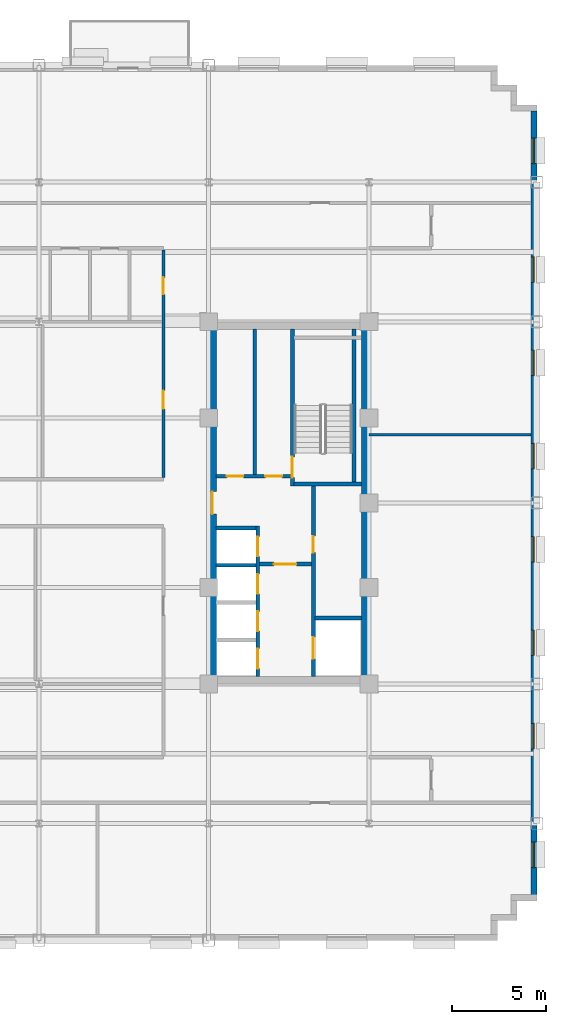
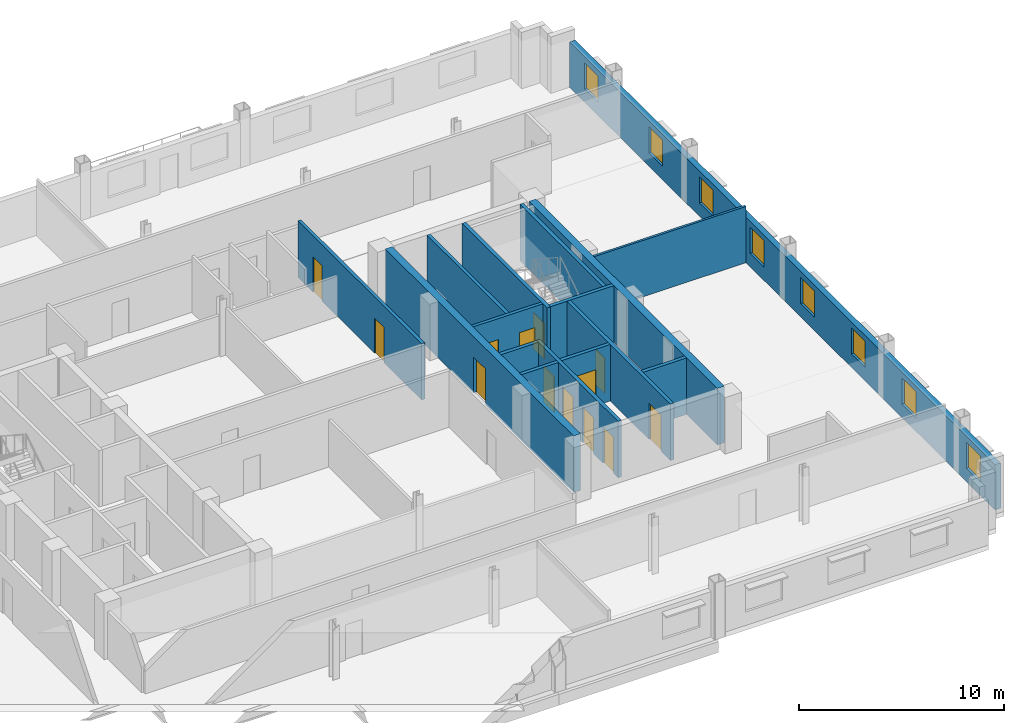
# One storey, part 8 of 14: 16 walls, 13 doors, 8 windows, 21 openings.
"""IFC4 building model written with IfcOpenShell, lengths in metres."""

from ifc_helpers import new_model, si_unit, direction, frame, frame_2d, origin, place, context, subcontext, project, spatial, rectangle, extrude, source, transform, mapped, material, layer, layer_set, type_object, type_shapes, element, fill, save


model = new_model("IFC4")

# Units and contexts
model_context = context("Model", 3, precision=1e-05, world=origin(), true_north=direction((0.0, 1.0)))
body_context = subcontext(model_context, "Body", "Model", "MODEL_VIEW")
ifc_project = project(units=[si_unit("LENGTHUNIT", "METRE"), si_unit("AREAUNIT", "SQUARE_METRE"), si_unit("VOLUMEUNIT", "CUBIC_METRE"), si_unit("PLANEANGLEUNIT", "RADIAN"), si_unit("MASSUNIT", "GRAM", prefix="KILO")], contexts=[model_context])

# Site, building, storey
site_placement = place(None, origin())
site = spatial("IfcSite", under=ifc_project, at=site_placement, CompositionType="ELEMENT")
building_placement = place(site_placement, origin())
building = spatial("IfcBuilding", under=site, at=building_placement, Name="Nuvemarco Arch Tower", CompositionType="ELEMENT")
storey_placement = place(building_placement, frame((0.0, 0.0, 138.449951171875)))
storey = spatial("IfcBuildingStorey", under=building, at=storey_placement, Name="L36", CompositionType="ELEMENT", Elevation=138.449951171875)

# Wall, openings, windows
ifc_material_1 = material(Name="Precast concrete C45/55", Category="concrete")
ifc_layer_1 = layer(ifc_material_1, 0.320068359375, Name="EW-MID-320")
ifc_layer_set_1 = layer_set([ifc_layer_1], Name="Precast concrete C45/55")
wall_type_1 = type_object("IfcWallType", Name="EW-MID-320", PredefinedType="STANDARD", material=ifc_layer_set_1)
wall_1_placement = place(storey_placement, frame((26.239990234375, -20.783935546875, 0.0), z_axis=(0.0, 0.0, 1.0), x_axis=(0.0, 1.0, 0.0)))
wall_1 = element("IfcWall", 1, at=wall_1_placement, inside=storey, type_object=wall_type_1, Name="L36 exterior precast facade wall 6", PredefinedType="STANDARD", context=body_context, shape_type="SweptSolid", body=[
    extrude(rectangle(XDim=41.56787109375, YDim=0.320068359375, at=frame_2d((20.783935546875, 0.0))), origin(), (0.0, 0.0, 1.0), 2.705078125),
])
opening_1_placement = place(wall_1_placement, frame((1.447998046875, 0.0, 0.800048828125)))
opening_1 = element("IfcOpeningElement", 2, at=opening_1_placement, cuts=wall_1, Name="Opening WN-6", PredefinedType="OPENING", context=body_context, shape_type="SweptSolid", body=[
    extrude(rectangle(XDim=1.35009765625, YDim=1.56005859375, at=frame_2d((0.675048828125, 0.780029296875))), frame((0.0, 0.169921875, 0.0), z_axis=(0.0, -1.0, 0.0), x_axis=(1.0, 0.0, 0.0)), (0.0, 0.0, 1.0), 0.340087890625),
])
opening_2_placement = place(wall_1_placement, frame((7.743896484375, 0.0, 0.800048828125)))
opening_2 = element("IfcOpeningElement", 3, at=opening_2_placement, cuts=wall_1, Name="Opening WN-6", PredefinedType="OPENING", context=body_context, shape_type="SweptSolid", body=[
    extrude(rectangle(XDim=1.35009765625, YDim=1.56005859375, at=frame_2d((0.675048828125, 0.780029296875))), frame((0.0, 0.169921875, 0.0), z_axis=(0.0, -1.0, 0.0), x_axis=(1.0, 0.0, 0.0)), (0.0, 0.0, 1.0), 0.340087890625),
])
opening_3_placement = place(wall_1_placement, frame((12.68994140625, 0.0, 0.800048828125)))
opening_3 = element("IfcOpeningElement", 4, at=opening_3_placement, cuts=wall_1, Name="Opening WN-6", PredefinedType="OPENING", context=body_context, shape_type="SweptSolid", body=[
    extrude(rectangle(XDim=1.35009765625, YDim=1.56005859375, at=frame_2d((0.675048828125, 0.780029296875))), frame((0.0, 0.169921875, 0.0), z_axis=(0.0, -1.0, 0.0), x_axis=(1.0, 0.0, 0.0)), (0.0, 0.0, 1.0), 0.340087890625),
])
opening_4_placement = place(wall_1_placement, frame((17.635986328125, 0.0, 0.800048828125)))
opening_4 = element("IfcOpeningElement", 5, at=opening_4_placement, cuts=wall_1, Name="Opening WN-6", PredefinedType="OPENING", context=body_context, shape_type="SweptSolid", body=[
    extrude(rectangle(XDim=1.35009765625, YDim=1.56005859375, at=frame_2d((0.675048828125, 0.780029296875))), frame((0.0, 0.169921875, 0.0), z_axis=(0.0, -1.0, 0.0), x_axis=(1.0, 0.0, 0.0)), (0.0, 0.0, 1.0), 0.340087890625),
])
opening_5_placement = place(wall_1_placement, frame((22.58203125, 0.0, 0.800048828125)))
opening_5 = element("IfcOpeningElement", 6, at=opening_5_placement, cuts=wall_1, Name="Opening WN-6", PredefinedType="OPENING", context=body_context, shape_type="SweptSolid", body=[
    extrude(rectangle(XDim=1.35009765625, YDim=1.56005859375, at=frame_2d((0.675048828125, 0.780029296875))), frame((0.0, 0.169921875, 0.0), z_axis=(0.0, -1.0, 0.0), x_axis=(1.0, 0.0, 0.0)), (0.0, 0.0, 1.0), 0.340087890625),
])
opening_6_placement = place(wall_1_placement, frame((27.528076171875, 0.0, 0.800048828125)))
opening_6 = element("IfcOpeningElement", 7, at=opening_6_placement, cuts=wall_1, Name="Opening WN-6", PredefinedType="OPENING", context=body_context, shape_type="SweptSolid", body=[
    extrude(rectangle(XDim=1.35009765625, YDim=1.56005859375, at=frame_2d((0.675048828125, 0.780029296875))), frame((0.0, 0.169921875, 0.0), z_axis=(0.0, -1.0, 0.0), x_axis=(1.0, 0.0, 0.0)), (0.0, 0.0, 1.0), 0.340087890625),
])
opening_7_placement = place(wall_1_placement, frame((32.47412109375, 0.0, 0.800048828125)))
opening_7 = element("IfcOpeningElement", 8, at=opening_7_placement, cuts=wall_1, Name="Opening WN-6", PredefinedType="OPENING", context=body_context, shape_type="SweptSolid", body=[
    extrude(rectangle(XDim=1.35009765625, YDim=1.56005859375, at=frame_2d((0.675048828125, 0.780029296875))), frame((0.0, 0.169921875, 0.0), z_axis=(0.0, -1.0, 0.0), x_axis=(1.0, 0.0, 0.0)), (0.0, 0.0, 1.0), 0.340087890625),
])
opening_8_placement = place(wall_1_placement, frame((38.77001953125, 0.0, 0.800048828125)))
opening_8 = element("IfcOpeningElement", 9, at=opening_8_placement, cuts=wall_1, Name="Opening WN-6", PredefinedType="OPENING", context=body_context, shape_type="SweptSolid", body=[
    extrude(rectangle(XDim=1.35009765625, YDim=1.56005859375, at=frame_2d((0.675048828125, 0.780029296875))), frame((0.0, 0.169921875, 0.0), z_axis=(0.0, -1.0, 0.0), x_axis=(1.0, 0.0, 0.0)), (0.0, 0.0, 1.0), 0.340087890625),
])
ifc_material_2 = material(Name="Insulated solar-control glass", Category="glass")
window_type = type_object("IfcWindowType", Name="WN-MID-1350x1560", PartitioningType="SINGLE_PANEL", PredefinedType="WINDOW", material=ifc_material_2)
shared_shape_1 = source(origin(), body_context, "Body", "SweptSolid", [
    extrude(rectangle(XDim=1.35009765625, YDim=1.56005859375, at=frame_2d((0.675048828125, 0.780029296875))), frame((0.0, 0.030029296875, 0.0), z_axis=(0.0, -1.0, 0.0), x_axis=(1.0, 0.0, 0.0)), (0.0, 0.0, 1.0), 0.06005859375),
])
type_shapes(window_type, [shared_shape_1])
window_1_placement = place(opening_1_placement, origin())
window_1 = element("IfcWindow", 10, at=window_1_placement, inside=storey, type_object=window_type, Name="L36 punched facade window 1", OverallHeight=1.56005859375, OverallWidth=1.35009765625, PartitioningType="SINGLE_PANEL", PredefinedType="WINDOW", context=body_context, shape_type="MappedRepresentation", body=[
    mapped(shared_shape_1, transform((0.0, 0.0, 0.0), scale=1.0)),
])
fill(opening_1, window_1)
window_2_placement = place(opening_2_placement, origin())
window_2 = element("IfcWindow", 11, at=window_2_placement, inside=storey, type_object=window_type, Name="L36 punched facade window 2", OverallHeight=1.56005859375, OverallWidth=1.35009765625, PartitioningType="SINGLE_PANEL", PredefinedType="WINDOW", context=body_context, shape_type="MappedRepresentation", body=[
    mapped(shared_shape_1, transform((0.0, 0.0, 0.0), scale=1.0)),
])
fill(opening_2, window_2)
window_3_placement = place(opening_3_placement, origin())
window_3 = element("IfcWindow", 12, at=window_3_placement, inside=storey, type_object=window_type, Name="L36 punched facade window 3", OverallHeight=1.56005859375, OverallWidth=1.35009765625, PartitioningType="SINGLE_PANEL", PredefinedType="WINDOW", context=body_context, shape_type="MappedRepresentation", body=[
    mapped(shared_shape_1, transform((0.0, 0.0, 0.0), scale=1.0)),
])
fill(opening_3, window_3)
window_4_placement = place(opening_4_placement, origin())
window_4 = element("IfcWindow", 13, at=window_4_placement, inside=storey, type_object=window_type, Name="L36 punched facade window 4", OverallHeight=1.56005859375, OverallWidth=1.35009765625, PartitioningType="SINGLE_PANEL", PredefinedType="WINDOW", context=body_context, shape_type="MappedRepresentation", body=[
    mapped(shared_shape_1, transform((0.0, 0.0, 0.0), scale=1.0)),
])
fill(opening_4, window_4)
window_5_placement = place(opening_5_placement, origin())
window_5 = element("IfcWindow", 14, at=window_5_placement, inside=storey, type_object=window_type, Name="L36 punched facade window 5", OverallHeight=1.56005859375, OverallWidth=1.35009765625, PartitioningType="SINGLE_PANEL", PredefinedType="WINDOW", context=body_context, shape_type="MappedRepresentation", body=[
    mapped(shared_shape_1, transform((0.0, 0.0, 0.0), scale=1.0)),
])
fill(opening_5, window_5)
window_6_placement = place(opening_6_placement, origin())
window_6 = element("IfcWindow", 15, at=window_6_placement, inside=storey, type_object=window_type, Name="L36 punched facade window 6", OverallHeight=1.56005859375, OverallWidth=1.35009765625, PartitioningType="SINGLE_PANEL", PredefinedType="WINDOW", context=body_context, shape_type="MappedRepresentation", body=[
    mapped(shared_shape_1, transform((0.0, 0.0, 0.0), scale=1.0)),
])
fill(opening_6, window_6)
window_7_placement = place(opening_7_placement, origin())
window_7 = element("IfcWindow", 16, at=window_7_placement, inside=storey, type_object=window_type, Name="L36 punched facade window 7", OverallHeight=1.56005859375, OverallWidth=1.35009765625, PartitioningType="SINGLE_PANEL", PredefinedType="WINDOW", context=body_context, shape_type="MappedRepresentation", body=[
    mapped(shared_shape_1, transform((0.0, 0.0, 0.0), scale=1.0)),
])
fill(opening_7, window_7)
window_8_placement = place(opening_8_placement, origin())
window_8 = element("IfcWindow", 17, at=window_8_placement, inside=storey, type_object=window_type, Name="L36 punched facade window 8", OverallHeight=1.56005859375, OverallWidth=1.35009765625, PartitioningType="SINGLE_PANEL", PredefinedType="WINDOW", context=body_context, shape_type="MappedRepresentation", body=[
    mapped(shared_shape_1, transform((0.0, 0.0, 0.0), scale=1.0)),
])
fill(opening_8, window_8)

# Wall, opening, door
ifc_material_3 = material(Name="Concrete C60/75", Category="concrete")
ifc_layer_2 = layer(ifc_material_3, 0.39990234375, Name="WL-CORE-400")
ifc_layer_set_2 = layer_set([ifc_layer_2], Name="Concrete C60/75")
wall_type_2 = type_object("IfcWallType", Name="WL-CORE-400", PredefinedType="SHEAR", material=ifc_layer_set_2)
wall_2_placement = place(storey_placement, frame((9.199951171875, -9.205078125, 0.0), z_axis=(0.0, 0.0, 1.0), x_axis=(0.0, 1.0, 0.0)))
wall_2 = element("IfcWall", 18, at=wall_2_placement, inside=storey, type_object=wall_type_2, Name="L36 E-core shear wall W", PredefinedType="SHEAR", context=body_context, shape_type="SweptSolid", body=[
    extrude(rectangle(XDim=18.41015625, YDim=0.39990234375, at=frame_2d((9.205078125, 0.0))), origin(), (0.0, 0.0, 1.0), 3.3701171875),
])
opening_9_placement = place(wall_2_placement, frame((8.60498046875, 0.0, 0.0)))
opening_9 = element("IfcOpeningElement", 19, at=opening_9_placement, cuts=wall_2, Name="Opening FD-2", PredefinedType="OPENING", context=body_context, shape_type="SweptSolid", body=[
    extrude(rectangle(XDim=1.199951171875, YDim=2.14990234375, at=frame_2d((0.60009765625, 1.074951171875))), frame((0.0, 0.2099609375, 0.0), z_axis=(0.0, -1.0, 0.0), x_axis=(1.0, 0.0, 0.0)), (0.0, 0.0, 1.0), 0.419921875),
])
ifc_material_4 = material(Name="Anodised steel fire door", Category="steel")
door_type_1 = type_object("IfcDoorType", Name="DR-FFLOB-FD", OperationType="NOTDEFINED", PredefinedType="DOOR", material=ifc_material_4)
shared_shape_2 = source(origin(), body_context, "Body", "SweptSolid", [
    extrude(rectangle(XDim=1.199951171875, YDim=2.14990234375, at=frame_2d((0.60009765625, 1.074951171875))), frame((0.0, 0.02490234375, 0.0), z_axis=(0.0, -1.0, 0.0), x_axis=(1.0, 0.0, 0.0)), (0.0, 0.0, 1.0), 0.050048828125),
])
type_shapes(door_type_1, [shared_shape_2])
door_1_placement = place(opening_9_placement, origin())
door_1 = element("IfcDoor", 20, at=door_1_placement, inside=storey, type_object=door_type_1, Name="L36 door FD-L36-ECORE-W", OperationType="SINGLE_SWING_RIGHT", OverallHeight=2.14990234375, OverallWidth=1.199951171875, PredefinedType="DOOR", context=body_context, shape_type="MappedRepresentation", body=[
    mapped(shared_shape_2, transform((0.0, 0.0, 0.0), scale=1.0)),
])
fill(opening_9, door_1)

# Wall
wall_3_placement = place(storey_placement, frame((17.300048828125, -9.205078125, 0.0), z_axis=(0.0, 0.0, 1.0), x_axis=(0.0, 1.0, 0.0)))
element("IfcWall", 21, at=wall_3_placement, inside=storey, type_object=wall_type_2, Name="L36 E-core shear wall E", PredefinedType="SHEAR", context=body_context, shape_type="SweptSolid", body=[
    extrude(rectangle(XDim=18.41015625, YDim=0.39990234375, at=frame_2d((9.205078125, 0.0))), origin(), (0.0, 0.0, 1.0), 3.3701171875),
])

# Wall, openings, doors
ifc_material_5 = material(Name="Fire-rated gypsum drywall partition")
ifc_layer_3 = layer(ifc_material_5, 0.179931640625, Name="WL-CORR-180")
ifc_layer_set_3 = layer_set([ifc_layer_3], Name="Fire-rated gypsum drywall partition")
wall_type_3 = type_object("IfcWallType", Name="WL-CORR-180", PredefinedType="PARTITIONING", material=ifc_layer_set_3)
wall_4_placement = place(storey_placement, frame((9.39501953125, 1.39990234375, 0.0), z_axis=(0.0, 0.0, 1.0), x_axis=(1.0, 0.0, 0.0)))
wall_4 = element("IfcWall", 22, at=wall_4_placement, inside=storey, type_object=wall_type_3, Name="L36 interior wall IW-L36-EK-S", PredefinedType="PARTITIONING", context=body_context, shape_type="SweptSolid", body=[
    extrude(rectangle(XDim=3.949951171875, YDim=0.179931640625, at=frame_2d((1.97509765625, 0.0))), origin(), (0.0, 0.0, 1.0), 3.360107421875),
])
opening_10_placement = place(wall_4_placement, frame((0.56494140625, 0.0, 0.0)))
opening_10 = element("IfcOpeningElement", 23, at=opening_10_placement, cuts=wall_4, Name="Opening FD-4", PredefinedType="OPENING", context=body_context, shape_type="SweptSolid", body=[
    extrude(rectangle(XDim=0.8798828125, YDim=2.10009765625, at=frame_2d((0.43994140625, 1.050048828125))), frame((0.0, 0.099853515625, 0.0), z_axis=(0.0, -1.0, 0.0), x_axis=(1.0, 0.0, 0.0)), (0.0, 0.0, 1.0), 0.199951171875),
])
opening_11_placement = place(wall_4_placement, frame((2.614990234375, 0.0, 0.0)))
opening_11 = element("IfcOpeningElement", 24, at=opening_11_placement, cuts=wall_4, Name="Opening FD-4", PredefinedType="OPENING", context=body_context, shape_type="SweptSolid", body=[
    extrude(rectangle(XDim=0.8798828125, YDim=2.10009765625, at=frame_2d((0.43994140625, 1.050048828125))), frame((0.0, 0.099853515625, 0.0), z_axis=(0.0, -1.0, 0.0), x_axis=(1.0, 0.0, 0.0)), (0.0, 0.0, 1.0), 0.199951171875),
])
door_type_2 = type_object("IfcDoorType", Name="DR-RISER-FD", OperationType="NOTDEFINED", PredefinedType="DOOR", material=ifc_material_4)
shared_shape_3 = source(origin(), body_context, "Body", "SweptSolid", [
    extrude(rectangle(XDim=0.8798828125, YDim=2.10009765625, at=frame_2d((0.43994140625, 1.050048828125))), frame((0.0, 0.02490234375, 0.0), z_axis=(0.0, -1.0, 0.0), x_axis=(1.0, 0.0, 0.0)), (0.0, 0.0, 1.0), 0.050048828125),
])
type_shapes(door_type_2, [shared_shape_3])
door_2_placement = place(opening_10_placement, origin())
door_2 = element("IfcDoor", 25, at=door_2_placement, inside=storey, type_object=door_type_2, Name="L36 door FD-L36-EK2A", OperationType="SINGLE_SWING_LEFT", OverallHeight=2.10009765625, OverallWidth=0.8798828125, PredefinedType="DOOR", context=body_context, shape_type="MappedRepresentation", body=[
    mapped(shared_shape_3, transform((0.0, 0.0, 0.0), scale=1.0)),
])
fill(opening_10, door_2)
door_3_placement = place(opening_11_placement, origin())
door_3 = element("IfcDoor", 26, at=door_3_placement, inside=storey, type_object=door_type_2, Name="L36 door FD-L36-EK2B", OperationType="SINGLE_SWING_RIGHT", OverallHeight=2.10009765625, OverallWidth=0.8798828125, PredefinedType="DOOR", context=body_context, shape_type="MappedRepresentation", body=[
    mapped(shared_shape_3, transform((0.0, 0.0, 0.0), scale=1.0)),
])
fill(opening_11, door_3)

# Wall
wall_5_placement = place(storey_placement, frame((11.449951171875, 1.489990234375, 0.0), z_axis=(0.0, 0.0, 1.0), x_axis=(0.0, 1.0, 0.0)))
element("IfcWall", 27, at=wall_5_placement, inside=storey, type_object=wall_type_3, Name="L36 interior wall IW-L36-EK2", PredefinedType="PARTITIONING", context=body_context, shape_type="SweptSolid", body=[
    extrude(rectangle(XDim=7.715087890625, YDim=0.179931640625, at=frame_2d((3.857421875, 0.0))), origin(), (0.0, 0.0, 1.0), 3.360107421875),
])

# Wall, openings, doors
wall_6_placement = place(storey_placement, frame((6.60009765625, 1.3359375, 0.0), z_axis=(0.0, 0.0, 1.0), x_axis=(0.0, 1.0, 0.0)))
wall_6 = element("IfcWall", 28, at=wall_6_placement, inside=storey, type_object=wall_type_3, Name="L36 interior wall IW-L36-028", PredefinedType="PARTITIONING", context=body_context, shape_type="SweptSolid", body=[
    extrude(rectangle(XDim=12.078125, YDim=0.179931640625, at=frame_2d((6.0390625, 0.0))), origin(), (0.0, 0.0, 1.0), 3.360107421875),
])
opening_12_placement = place(wall_6_placement, frame((3.652099609375, 0.0, 0.0)))
opening_12 = element("IfcOpeningElement", 29, at=opening_12_placement, cuts=wall_6, Name="Opening FD-5", PredefinedType="OPENING", context=body_context, shape_type="SweptSolid", body=[
    extrude(rectangle(XDim=0.9599609375, YDim=2.10009765625, at=frame_2d((0.47998046875, 1.050048828125))), frame((0.0, 0.099853515625, 0.0), z_axis=(0.0, -1.0, 0.0), x_axis=(1.0, 0.0, 0.0)), (0.0, 0.0, 1.0), 0.199951171875),
])
opening_13_placement = place(wall_6_placement, frame((9.720947265625, 0.0, 0.0)))
opening_13 = element("IfcOpeningElement", 30, at=opening_13_placement, cuts=wall_6, Name="Opening ID-3", PredefinedType="OPENING", context=body_context, shape_type="SweptSolid", body=[
    extrude(rectangle(XDim=0.89990234375, YDim=2.10009765625, at=frame_2d((0.449951171875, 1.050048828125))), frame((0.0, 0.099853515625, 0.0), z_axis=(0.0, -1.0, 0.0), x_axis=(1.0, 0.0, 0.0)), (0.0, 0.0, 1.0), 0.199951171875),
])
ifc_material_6 = material(Name="Timber fire door", Category="wood")
door_type_3 = type_object("IfcDoorType", Name="DR-CORR-FD", OperationType="NOTDEFINED", PredefinedType="DOOR", material=ifc_material_6)
shared_shape_4 = source(origin(), body_context, "Body", "SweptSolid", [
    extrude(rectangle(XDim=0.9599609375, YDim=2.10009765625, at=frame_2d((0.47998046875, 1.050048828125))), frame((0.0, 0.02490234375, 0.0), z_axis=(0.0, -1.0, 0.0), x_axis=(1.0, 0.0, 0.0)), (0.0, 0.0, 1.0), 0.050048828125),
])
type_shapes(door_type_3, [shared_shape_4])
door_4_placement = place(opening_12_placement, origin())
door_4 = element("IfcDoor", 31, at=door_4_placement, inside=storey, type_object=door_type_3, Name="L36 door DR-L36-C_NE", OperationType="SINGLE_SWING_LEFT", OverallHeight=2.10009765625, OverallWidth=0.9599609375, PredefinedType="DOOR", context=body_context, shape_type="MappedRepresentation", body=[
    mapped(shared_shape_4, transform((0.0, 0.0, 0.0), scale=1.0)),
])
fill(opening_12, door_4)
ifc_material_7 = material(Name="Veneered oak timber fire door", Category="wood")
door_type_4 = type_object("IfcDoorType", Name="DR-WC-ACC", OperationType="NOTDEFINED", PredefinedType="DOOR", material=ifc_material_7)
shared_shape_5 = source(origin(), body_context, "Body", "SweptSolid", [
    extrude(rectangle(XDim=0.89990234375, YDim=2.10009765625, at=frame_2d((0.449951171875, 1.050048828125))), frame((0.0, 0.02490234375, 0.0), z_axis=(0.0, -1.0, 0.0), x_axis=(1.0, 0.0, 0.0)), (0.0, 0.0, 1.0), 0.050048828125),
])
type_shapes(door_type_4, [shared_shape_5])
door_5_placement = place(opening_13_placement, origin())
door_5 = element("IfcDoor", 32, at=door_5_placement, inside=storey, type_object=door_type_4, Name="L36 door DR-L36-WC_ACC", OperationType="SINGLE_SWING_RIGHT", OverallHeight=2.10009765625, OverallWidth=0.89990234375, PredefinedType="DOOR", context=body_context, shape_type="MappedRepresentation", body=[
    mapped(shared_shape_5, transform((0.0, 0.0, 0.0), scale=1.0)),
])
fill(opening_13, door_5)

# Wall
ifc_material_8 = material(Name="Glazed acoustic office partition")
ifc_layer_4 = layer(ifc_material_8, 0.1298828125, Name="WL-EXEC-130")
ifc_layer_set_4 = layer_set([ifc_layer_4], Name="Glazed acoustic office partition")
wall_type_4 = type_object("IfcWallType", Name="WL-EXEC-130", PredefinedType="PARTITIONING", material=ifc_layer_set_4)
wall_7_placement = place(storey_placement, frame((17.5, 3.60009765625, 0.0), z_axis=(0.0, 0.0, 1.0), x_axis=(1.0, 0.0, 0.0)))
element("IfcWall", 33, at=wall_7_placement, inside=storey, type_object=wall_type_4, Name="L36 interior wall IW-L36-008", PredefinedType="PARTITIONING", context=body_context, shape_type="SweptSolid", body=[
    extrude(rectangle(XDim=8.580078125, YDim=0.1298828125, at=frame_2d((4.2900390625, 0.0))), origin(), (0.0, 0.0, 1.0), 3.360107421875),
])

# Wall, opening, door
ifc_material_9 = material(Name="Concrete C50/60", Category="concrete")
ifc_layer_5 = layer(ifc_material_9, 0.199951171875, Name="WL-SHAFT-220")
ifc_layer_set_5 = layer_set([ifc_layer_5], Name="Concrete C50/60")
wall_type_5 = type_object("IfcWallType", Name="WL-SHAFT-220", PredefinedType="SHEAR", material=ifc_layer_set_5)
wall_8_placement = place(storey_placement, frame((13.43994140625, 0.89990234375, 0.0), z_axis=(0.0, 0.0, 1.0), x_axis=(0.0, 1.0, 0.0)))
wall_8 = element("IfcWall", 34, at=wall_8_placement, inside=storey, type_object=wall_type_5, Name="L36 structural shaft wall SW-L36-E-ST2W", PredefinedType="SHEAR", context=body_context, shape_type="SweptSolid", body=[
    extrude(rectangle(XDim=8.30517578125, YDim=0.199951171875, at=frame_2d((4.152587890625, 0.0))), origin(), (0.0, 0.0, 1.0), 3.3701171875),
])
opening_14_placement = place(wall_8_placement, frame((0.429931640625, 0.0, 0.0)))
opening_14 = element("IfcOpeningElement", 35, at=opening_14_placement, cuts=wall_8, Name="Opening FD-1", PredefinedType="OPENING", context=body_context, shape_type="SweptSolid", body=[
    extrude(rectangle(XDim=1.10009765625, YDim=2.14990234375, at=frame_2d((0.550048828125, 1.074951171875))), frame((0.0, 0.10986328125, 0.0), z_axis=(0.0, -1.0, 0.0), x_axis=(1.0, 0.0, 0.0)), (0.0, 0.0, 1.0), 0.219970703125),
])
door_type_5 = type_object("IfcDoorType", Name="DR-STAIR-FD", OperationType="NOTDEFINED", PredefinedType="DOOR", material=ifc_material_4)
shared_shape_6 = source(origin(), body_context, "Body", "SweptSolid", [
    extrude(rectangle(XDim=1.10009765625, YDim=2.14990234375, at=frame_2d((0.550048828125, 1.074951171875))), frame((0.0, 0.02490234375, 0.0), z_axis=(0.0, -1.0, 0.0), x_axis=(1.0, 0.0, 0.0)), (0.0, 0.0, 1.0), 0.050048828125),
])
type_shapes(door_type_5, [shared_shape_6])
door_6_placement = place(opening_14_placement, origin())
door_6 = element("IfcDoor", 36, at=door_6_placement, inside=storey, type_object=door_type_5, Name="L36 door FD-L36-ST2", OperationType="SINGLE_SWING_LEFT", OverallHeight=2.14990234375, OverallWidth=1.10009765625, PredefinedType="DOOR", context=body_context, shape_type="MappedRepresentation", body=[
    mapped(shared_shape_6, transform((0.0, 0.0, 0.0), scale=1.0)),
])
fill(opening_14, door_6)

# Walls
wall_9_placement = place(storey_placement, frame((13.534912109375, 1.0, 0.0), z_axis=(0.0, 0.0, 1.0), x_axis=(1.0, 0.0, 0.0)))
element("IfcWall", 37, at=wall_9_placement, inside=storey, type_object=wall_type_5, Name="L36 structural shaft wall SW-L36-E-ST2S", PredefinedType="SHEAR", context=body_context, shape_type="SweptSolid", body=[
    extrude(rectangle(XDim=3.570068359375, YDim=0.199951171875, at=frame_2d((1.78515625, 0.0))), origin(), (0.0, 0.0, 1.0), 3.3701171875),
])
wall_10_placement = place(storey_placement, frame((16.699951171875, 1.094970703125, 0.0), z_axis=(0.0, 0.0, 1.0), x_axis=(0.0, 1.0, 0.0)))
element("IfcWall", 38, at=wall_10_placement, inside=storey, type_object=wall_type_5, Name="L36 structural shaft wall SW-L36-E-ST2E", PredefinedType="SHEAR", context=body_context, shape_type="SweptSolid", body=[
    extrude(rectangle(XDim=8.110107421875, YDim=0.199951171875, at=frame_2d((4.05517578125, 0.0))), origin(), (0.0, 0.0, 1.0), 3.3701171875),
])

# Wall, openings, doors
wall_11_placement = place(storey_placement, frame((14.550048828125, -9.205078125, 0.0), z_axis=(0.0, 0.0, 1.0), x_axis=(0.0, 1.0, 0.0)))
wall_11 = element("IfcWall", 39, at=wall_11_placement, inside=storey, type_object=wall_type_5, Name="L36 structural shaft wall SW-L36-E-SHW", PredefinedType="SHEAR", context=body_context, shape_type="SweptSolid", body=[
    extrude(rectangle(XDim=10.110107421875, YDim=0.199951171875, at=frame_2d((5.05517578125, 0.0))), origin(), (0.0, 0.0, 1.0), 3.3701171875),
])
opening_15_placement = place(wall_11_placement, frame((6.56494140625, 0.0, 0.0)))
opening_15 = element("IfcOpeningElement", 40, at=opening_15_placement, cuts=wall_11, Name="Opening FD-4", PredefinedType="OPENING", context=body_context, shape_type="SweptSolid", body=[
    extrude(rectangle(XDim=0.8798828125, YDim=2.10009765625, at=frame_2d((0.43994140625, 1.050048828125))), frame((0.0, 0.10986328125, 0.0), z_axis=(0.0, -1.0, 0.0), x_axis=(1.0, 0.0, 0.0)), (0.0, 0.0, 1.0), 0.219970703125),
])
opening_16_placement = place(wall_11_placement, frame((0.929931640625, 0.0, 0.0)))
opening_16 = element("IfcOpeningElement", 41, at=opening_16_placement, cuts=wall_11, Name="Opening LD-2", PredefinedType="OPENING", context=body_context, shape_type="SweptSolid", body=[
    extrude(rectangle(XDim=1.14990234375, YDim=2.14990234375, at=frame_2d((0.574951171875, 1.074951171875))), frame((0.0, 0.10986328125, 0.0), z_axis=(0.0, -1.0, 0.0), x_axis=(1.0, 0.0, 0.0)), (0.0, 0.0, 1.0), 0.219970703125),
])
door_7_placement = place(opening_15_placement, origin())
door_7 = element("IfcDoor", 42, at=door_7_placement, inside=storey, type_object=door_type_2, Name="L36 door FD-L36-ERIS", OperationType="SINGLE_SWING_LEFT", OverallHeight=2.10009765625, OverallWidth=0.8798828125, PredefinedType="DOOR", context=body_context, shape_type="MappedRepresentation", body=[
    mapped(shared_shape_3, transform((0.0, 0.0, 0.0), scale=1.0)),
])
fill(opening_15, door_7)
ifc_material_10 = material(Name="Stainless steel lift door", Category="steel")
door_type_6 = type_object("IfcDoorType", Name="DR-LIFT-FIRE", OperationType="DOUBLE_DOOR_SLIDING", PredefinedType="DOOR", material=ifc_material_10)
shared_shape_7 = source(origin(), body_context, "Body", "SweptSolid", [
    extrude(rectangle(XDim=1.14990234375, YDim=2.14990234375, at=frame_2d((0.574951171875, 1.074951171875))), frame((0.0, 0.02490234375, 0.0), z_axis=(0.0, -1.0, 0.0), x_axis=(1.0, 0.0, 0.0)), (0.0, 0.0, 1.0), 0.050048828125),
])
type_shapes(door_type_6, [shared_shape_7])
door_8_placement = place(opening_16_placement, origin())
door_8 = element("IfcDoor", 43, at=door_8_placement, inside=storey, type_object=door_type_6, Name="L36 Lift landing sliding door FFL-2", OperationType="DOUBLE_DOOR_SLIDING", OverallHeight=2.14990234375, OverallWidth=1.14990234375, PredefinedType="DOOR", context=body_context, shape_type="MappedRepresentation", body=[
    mapped(shared_shape_7, transform((0.0, 0.0, 0.0), scale=1.0)),
])
fill(opening_16, door_8)

# Wall
wall_12_placement = place(storey_placement, frame((14.64501953125, -6.10009765625, 0.0), z_axis=(0.0, 0.0, 1.0), x_axis=(1.0, 0.0, 0.0)))
element("IfcWall", 44, at=wall_12_placement, inside=storey, type_object=wall_type_5, Name="L36 structural shaft wall SW-L36-E-SH1", PredefinedType="SHEAR", context=body_context, shape_type="SweptSolid", body=[
    extrude(rectangle(XDim=2.4599609375, YDim=0.199951171875, at=frame_2d((1.22998046875, 0.0))), origin(), (0.0, 0.0, 1.0), 3.3701171875),
])

# Wall, openings, doors
wall_13_placement = place(storey_placement, frame((11.60009765625, -9.205078125, 0.0), z_axis=(0.0, 0.0, 1.0), x_axis=(0.0, 1.0, 0.0)))
wall_13 = element("IfcWall", 45, at=wall_13_placement, inside=storey, type_object=wall_type_5, Name="L36 structural shaft wall SW-L36-E-PME", PredefinedType="SHEAR", context=body_context, shape_type="SweptSolid", body=[
    extrude(rectangle(XDim=7.97509765625, YDim=0.199951171875, at=frame_2d((3.987548828125, 0.0))), origin(), (0.0, 0.0, 1.0), 3.3701171875),
])
opening_17_placement = place(wall_13_placement, frame((0.419921875, 0.0, 0.0)))
opening_17 = element("IfcOpeningElement", 46, at=opening_17_placement, cuts=wall_13, Name="Opening LD-1", PredefinedType="OPENING", context=body_context, shape_type="SweptSolid", body=[
    extrude(rectangle(XDim=1.050048828125, YDim=2.14990234375, at=frame_2d((0.52490234375, 1.074951171875))), frame((0.0, 0.10986328125, 0.0), z_axis=(0.0, -1.0, 0.0), x_axis=(1.0, 0.0, 0.0)), (0.0, 0.0, 1.0), 0.219970703125),
])
opening_18_placement = place(wall_13_placement, frame((2.39990234375, 0.0, 0.0)))
opening_18 = element("IfcOpeningElement", 47, at=opening_18_placement, cuts=wall_13, Name="Opening LD-1", PredefinedType="OPENING", context=body_context, shape_type="SweptSolid", body=[
    extrude(rectangle(XDim=1.050048828125, YDim=2.14990234375, at=frame_2d((0.52490234375, 1.074951171875))), frame((0.0, 0.10986328125, 0.0), z_axis=(0.0, -1.0, 0.0), x_axis=(1.0, 0.0, 0.0)), (0.0, 0.0, 1.0), 0.219970703125),
])
opening_19_placement = place(wall_13_placement, frame((4.3798828125, 0.0, 0.0)))
opening_19 = element("IfcOpeningElement", 48, at=opening_19_placement, cuts=wall_13, Name="Opening LD-1", PredefinedType="OPENING", context=body_context, shape_type="SweptSolid", body=[
    extrude(rectangle(XDim=1.050048828125, YDim=2.14990234375, at=frame_2d((0.52490234375, 1.074951171875))), frame((0.0, 0.10986328125, 0.0), z_axis=(0.0, -1.0, 0.0), x_axis=(1.0, 0.0, 0.0)), (0.0, 0.0, 1.0), 0.219970703125),
])
opening_20_placement = place(wall_13_placement, frame((6.360107421875, 0.0, 0.0)))
opening_20 = element("IfcOpeningElement", 49, at=opening_20_placement, cuts=wall_13, Name="Opening LD-1", PredefinedType="OPENING", context=body_context, shape_type="SweptSolid", body=[
    extrude(rectangle(XDim=1.050048828125, YDim=2.14990234375, at=frame_2d((0.52490234375, 1.074951171875))), frame((0.0, 0.10986328125, 0.0), z_axis=(0.0, -1.0, 0.0), x_axis=(1.0, 0.0, 0.0)), (0.0, 0.0, 1.0), 0.219970703125),
])
door_type_7 = type_object("IfcDoorType", Name="DR-LIFT-PASS", OperationType="DOUBLE_DOOR_SLIDING", PredefinedType="DOOR", material=ifc_material_10)
shared_shape_8 = source(origin(), body_context, "Body", "SweptSolid", [
    extrude(rectangle(XDim=1.050048828125, YDim=2.14990234375, at=frame_2d((0.52490234375, 1.074951171875))), frame((0.0, 0.02490234375, 0.0), z_axis=(0.0, -1.0, 0.0), x_axis=(1.0, 0.0, 0.0)), (0.0, 0.0, 1.0), 0.050048828125),
])
type_shapes(door_type_7, [shared_shape_8])
door_9_placement = place(opening_17_placement, origin())
door_9 = element("IfcDoor", 50, at=door_9_placement, inside=storey, type_object=door_type_7, Name="L36 Lift landing sliding door PM-1", OperationType="DOUBLE_DOOR_SLIDING", OverallHeight=2.14990234375, OverallWidth=1.050048828125, PredefinedType="DOOR", context=body_context, shape_type="MappedRepresentation", body=[
    mapped(shared_shape_8, transform((0.0, 0.0, 0.0), scale=1.0)),
])
fill(opening_17, door_9)
door_10_placement = place(opening_18_placement, origin())
door_10 = element("IfcDoor", 51, at=door_10_placement, inside=storey, type_object=door_type_7, Name="L36 Lift landing sliding door PM-2", OperationType="DOUBLE_DOOR_SLIDING", OverallHeight=2.14990234375, OverallWidth=1.050048828125, PredefinedType="DOOR", context=body_context, shape_type="MappedRepresentation", body=[
    mapped(shared_shape_8, transform((0.0, 0.0, 0.0), scale=1.0)),
])
fill(opening_18, door_10)
door_11_placement = place(opening_19_placement, origin())
door_11 = element("IfcDoor", 52, at=door_11_placement, inside=storey, type_object=door_type_7, Name="L36 Lift landing sliding door PM-3", OperationType="DOUBLE_DOOR_SLIDING", OverallHeight=2.14990234375, OverallWidth=1.050048828125, PredefinedType="DOOR", context=body_context, shape_type="MappedRepresentation", body=[
    mapped(shared_shape_8, transform((0.0, 0.0, 0.0), scale=1.0)),
])
fill(opening_19, door_11)
door_12_placement = place(opening_20_placement, origin())
door_12 = element("IfcDoor", 53, at=door_12_placement, inside=storey, type_object=door_type_7, Name="L36 Lift landing sliding door PM-4", OperationType="DOUBLE_DOOR_SLIDING", OverallHeight=2.14990234375, OverallWidth=1.050048828125, PredefinedType="DOOR", context=body_context, shape_type="MappedRepresentation", body=[
    mapped(shared_shape_8, transform((0.0, 0.0, 0.0), scale=1.0)),
])
fill(opening_20, door_12)

# Wall, opening, door
wall_14_placement = place(storey_placement, frame((11.695068359375, -3.25, 0.0), z_axis=(0.0, 0.0, 1.0), x_axis=(1.0, 0.0, 0.0)))
wall_14 = element("IfcWall", 54, at=wall_14_placement, inside=storey, type_object=wall_type_5, Name="L36 structural shaft wall SW-L36-E-FFN", PredefinedType="SHEAR", context=body_context, shape_type="SweptSolid", body=[
    extrude(rectangle(XDim=2.760009765625, YDim=0.199951171875, at=frame_2d((1.3798828125, 0.0))), origin(), (0.0, 0.0, 1.0), 3.3701171875),
])
opening_21_placement = place(wall_14_placement, frame((0.7548828125, 0.0, 0.0)))
opening_21 = element("IfcOpeningElement", 55, at=opening_21_placement, cuts=wall_14, Name="Opening FD-2", PredefinedType="OPENING", context=body_context, shape_type="SweptSolid", body=[
    extrude(rectangle(XDim=1.199951171875, YDim=2.14990234375, at=frame_2d((0.60009765625, 1.074951171875))), frame((0.0, 0.10986328125, 0.0), z_axis=(0.0, -1.0, 0.0), x_axis=(1.0, 0.0, 0.0)), (0.0, 0.0, 1.0), 0.219970703125),
])
door_13_placement = place(opening_21_placement, origin())
door_13 = element("IfcDoor", 56, at=door_13_placement, inside=storey, type_object=door_type_1, Name="L36 door FD-L36-EFF2", OperationType="SINGLE_SWING_LEFT", OverallHeight=2.14990234375, OverallWidth=1.199951171875, PredefinedType="DOOR", context=body_context, shape_type="MappedRepresentation", body=[
    mapped(shared_shape_2, transform((0.0, 0.0, 0.0), scale=1.0)),
])
fill(opening_21, door_13)

# Walls
for number, where, z_axis, x_axis, name in (
    (57, (9.39501953125, -3.31005859375, 0.0), (0.0, 0.0, 1.0), (1.0, 0.0, 0.0), "L36 structural shaft wall SW-L36-E-PMD3"),
    (58, (9.39501953125, -1.330078125, 0.0), (0.0, 0.0, 1.0), (1.0, 0.0, 0.0), "L36 structural shaft wall SW-L36-E-PMD4"),
):
    element("IfcWall", number, at=place(storey_placement, frame(where, z_axis=z_axis, x_axis=x_axis)), inside=storey, type_object=wall_type_5, Name=name, PredefinedType="SHEAR", context=body_context, shape_type="SweptSolid", body=[
        extrude(rectangle(XDim=2.10986328125, YDim=0.199951171875, at=frame_2d((1.054931640625, 0.0))), origin(), (0.0, 0.0, 1.0), 3.3701171875),
    ])

save(model, "model.ifc")
